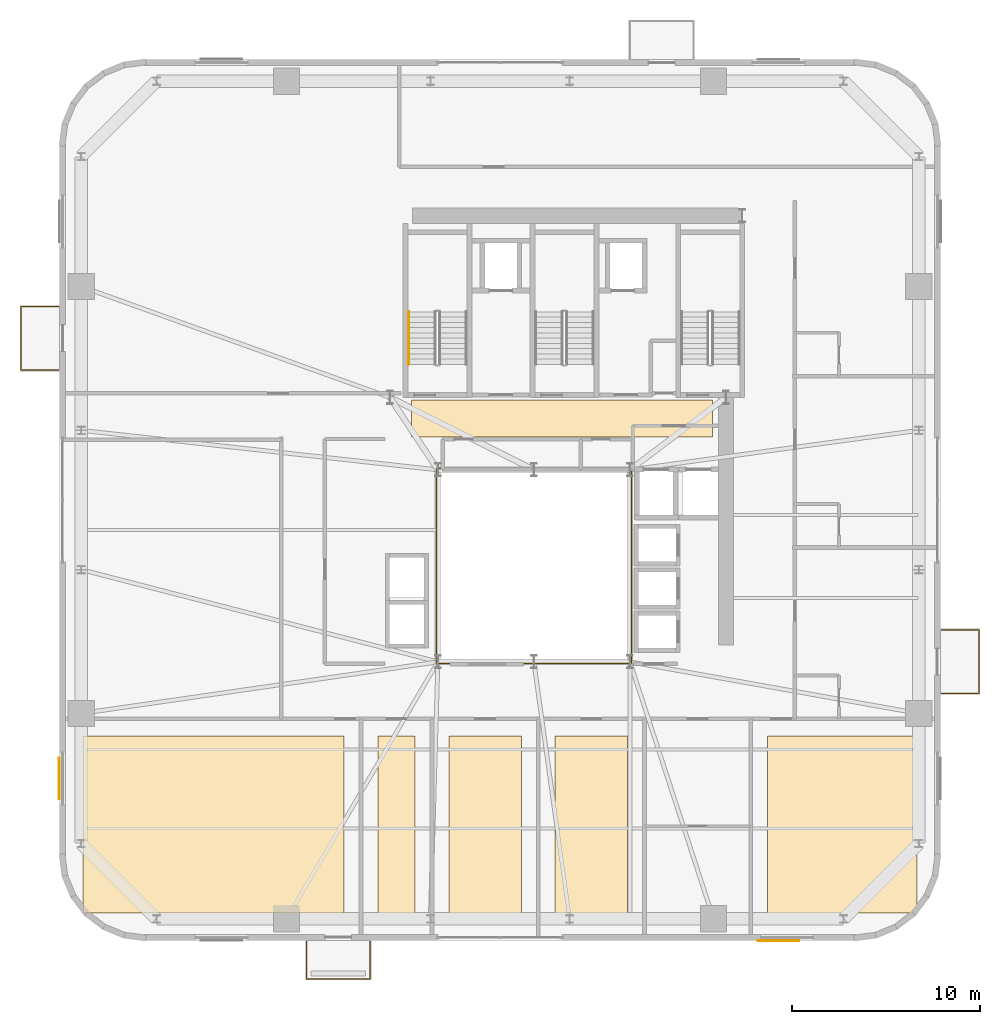
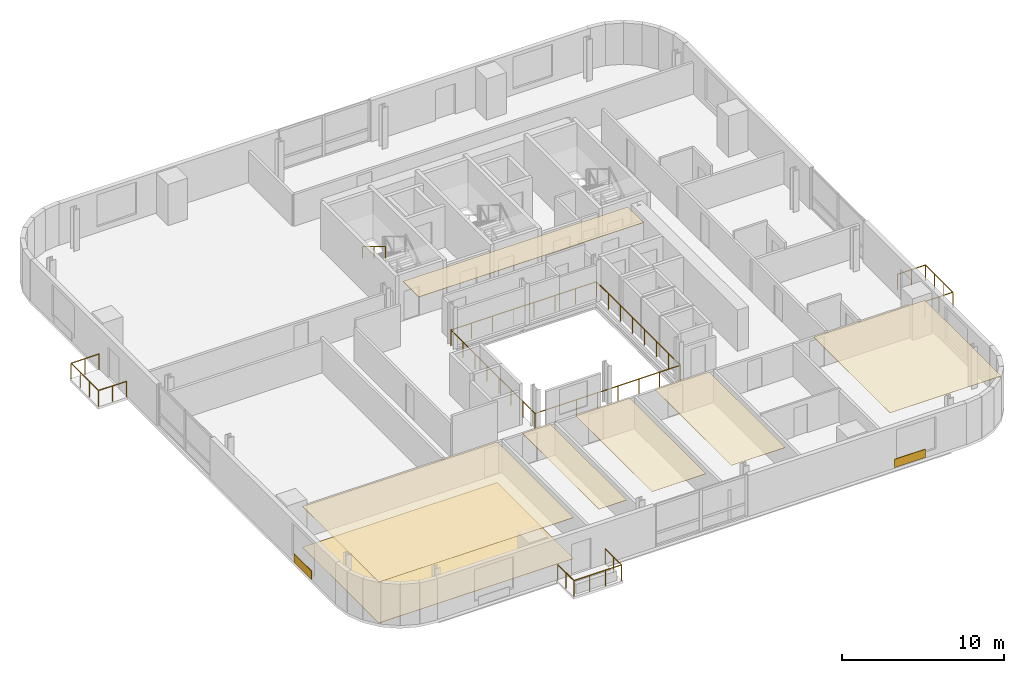
# One storey, part 11 of 13: 9 coverings, 5 railings.
"""IFC4 building model written with IfcOpenShell, lengths in metres."""

from ifc_helpers import new_model, si_unit, direction, frame, origin, origin_2d, place, context, subcontext, project, spatial, polyline, rectangle, outline, extrude, source, transform, mapped, material, layer, layer_set, type_object, element, save


model = new_model("IFC4")

# Units and contexts
model_context = context("Model", 3, precision=1e-05, world=origin(), true_north=direction((0.0, 1.0)))
body_context = subcontext(model_context, "Body", "Model", "MODEL_VIEW")
ifc_project = project(units=[si_unit("LENGTHUNIT", "METRE"), si_unit("AREAUNIT", "SQUARE_METRE"), si_unit("VOLUMEUNIT", "CUBIC_METRE"), si_unit("PLANEANGLEUNIT", "RADIAN"), si_unit("MASSUNIT", "GRAM", prefix="KILO")], contexts=[model_context])

# Site, building, storey
site_placement = place(None, origin())
site = spatial("IfcSite", under=ifc_project, at=site_placement, CompositionType="ELEMENT")
building_placement = place(site_placement, origin())
building = spatial("IfcBuilding", under=site, at=building_placement, Name="Vardaveli Station Tower", CompositionType="ELEMENT")
storey_placement = place(building_placement, frame((0.0, 0.0, 233.550048828125)))
storey = spatial("IfcBuildingStorey", under=building, at=storey_placement, Name="L60", CompositionType="ELEMENT", Elevation=233.550048828125)

# Coverings
ifc_material_1 = material(Name="Perforated acoustic mineral ceiling")
ifc_layer_1 = layer(ifc_material_1, 0.02001953125, Name="Perforated acoustic mineral ceiling")
ifc_layer_set_1 = layer_set([ifc_layer_1], Name="Perforated acoustic mineral ceiling")
covering_type_1 = type_object("IfcCoveringType", Name="COV-CEIL-AC20", PredefinedType="CEILING", material=ifc_layer_set_1)
covering_1_placement = place(storey_placement, frame((0.0, 0.0, 3.0849609375)))
element("IfcCovering", 1, at=covering_1_placement, inside=storey, type_object=covering_type_1, Name="CEIL-L60-1", PredefinedType="CEILING", context=body_context, shape_type="SweptSolid", body=[
    extrude(outline(polyline([(12.35009765625, 3.25), (26.21044921875, 3.25), (26.21044921875, 12.669921875), (12.35009765625, 12.669921875), (12.35009765625, 3.25)])), origin(), (0.0, 0.0, 1.0), 0.02001953125),
])
covering_2_placement = place(storey_placement, frame((0.0, 0.0, 3.0849609375)))
element("IfcCovering", 2, at=covering_2_placement, inside=storey, type_object=covering_type_1, Name="CEIL-L60-2", PredefinedType="CEILING", context=body_context, shape_type="SweptSolid", body=[
    extrude(outline(polyline([(28.010498046875, 3.25), (29.992431640625, 3.25), (29.992431640625, 12.669921875), (28.010498046875, 12.669921875), (28.010498046875, 3.25)])), origin(), (0.0, 0.0, 1.0), 0.02001953125),
])
covering_3_placement = place(storey_placement, frame((0.0, 0.0, 3.0849609375)))
element("IfcCovering", 3, at=covering_3_placement, inside=storey, type_object=covering_type_1, Name="CEIL-L60-3", PredefinedType="CEILING", context=body_context, shape_type="SweptSolid", body=[
    extrude(outline(polyline([(31.79248046875, 3.25), (35.635009765625, 3.25), (35.635009765625, 12.669921875), (31.79248046875, 12.669921875), (31.79248046875, 3.25)])), origin(), (0.0, 0.0, 1.0), 0.02001953125),
])
covering_4_placement = place(storey_placement, frame((0.0, 0.0, 3.0849609375)))
element("IfcCovering", 4, at=covering_4_placement, inside=storey, type_object=covering_type_1, Name="CEIL-L60-4", PredefinedType="CEILING", context=body_context, shape_type="SweptSolid", body=[
    extrude(outline(polyline([(37.43505859375, 3.25), (41.277587890625, 3.25), (41.277587890625, 12.669921875), (37.43505859375, 12.669921875), (37.43505859375, 3.25)])), origin(), (0.0, 0.0, 1.0), 0.02001953125),
])
covering_5_placement = place(storey_placement, frame((0.0, 0.0, 3.0849609375)))
element("IfcCovering", 5, at=covering_5_placement, inside=storey, type_object=covering_type_1, Name="CEIL-L60-5", PredefinedType="CEILING", context=body_context, shape_type="SweptSolid", body=[
    extrude(outline(polyline([(48.719970703125, 3.25), (56.64990234375, 3.25), (56.64990234375, 12.669921875), (48.719970703125, 12.669921875), (48.719970703125, 3.25)])), origin(), (0.0, 0.0, 1.0), 0.02001953125),
])
covering_6_placement = place(storey_placement, frame((0.0, 0.0, 3.0849609375)))
element("IfcCovering", 6, at=covering_6_placement, inside=storey, type_object=covering_type_1, Name="CEIL-L60-6", PredefinedType="CEILING", context=body_context, shape_type="SweptSolid", body=[
    extrude(outline(polyline([(29.800048828125, 28.550048828125), (45.800048828125, 28.550048828125), (45.800048828125, 30.5), (29.800048828125, 30.5), (29.800048828125, 28.550048828125)])), origin(), (0.0, 0.0, 1.0), 0.02001953125),
])
ifc_material_2 = material(Name="Honed Caucasian basalt and travertine flooring", Category="masonry")
ifc_layer_2 = layer(ifc_material_2, 0.030029296875, Name="Honed Caucasian basalt and travertine flooring")
ifc_layer_set_2 = layer_set([ifc_layer_2], Name="Honed Caucasian basalt and travertine flooring")
covering_type_2 = type_object("IfcCoveringType", Name="COV-FLOOR-ST30", PredefinedType="FLOORING", material=ifc_layer_set_2)
covering_7_placement = place(storey_placement, origin())
element("IfcCovering", 7, at=covering_7_placement, inside=storey, type_object=covering_type_2, Name="FLR-L60-1", PredefinedType="FLOORING", context=body_context, shape_type="SweptSolid", body=[
    extrude(outline(polyline([(12.35009765625, 3.25), (26.21044921875, 3.25), (26.21044921875, 12.669921875), (12.35009765625, 12.669921875), (12.35009765625, 3.25)])), origin(), (0.0, 0.0, 1.0), 0.030029296875),
])
ifc_material_3 = material(Name="Ventilated honed travertine stone cladding", Category="masonry")
ifc_layer_3 = layer(ifc_material_3, 0.044921875, Name="Ventilated honed travertine stone cladding")
ifc_layer_set_3 = layer_set([ifc_layer_3], Name="Ventilated honed travertine stone cladding")
covering_type_3 = type_object("IfcCoveringType", Name="COV-CLAD-TR45", PredefinedType="CLADDING", material=ifc_layer_set_3)
shared_shape_1 = source(origin(), body_context, "Body", "SweptSolid", [
    extrude(rectangle(XDim=2.199951171875, YDim=0.044921875, at=origin_2d()), origin(), (0.0, 0.0, 1.0), 0.6201171875),
])
for number, where, z_axis, x_axis, name in (
    (8, (49.294921875, 1.785400390625, 0.06982421875), (0.0, 0.0, 1.0), (1.0, 0.0, 0.0), "CLD-TR-L60-S"),
    (9, (11.08544921875, 10.405029296875, 0.06982421875), (0.0, 0.0, 1.0), (0.0, 1.0, 0.0), "CLD-TR-L60-W"),
):
    element("IfcCovering", number, at=place(storey_placement, frame(where, z_axis=z_axis, x_axis=x_axis)), inside=storey, type_object=covering_type_3, Name=name, PredefinedType="CLADDING", context=body_context, shape_type="MappedRepresentation", body=[
        mapped(shared_shape_1, transform((0.0, 0.0, 0.0), scale=1.0)),
    ])

# Railings
ifc_material_4 = material(Name="Laminated glass and stainless steel balustrade", Category="steel")
railing_type_1 = type_object("IfcRailingType", Name="RL-BAL-1200", PredefinedType="BALUSTRADE", material=ifc_material_4)
shared_shape_2 = source(origin(), body_context, "Body", "SweptSolid", [
    extrude(rectangle(XDim=0.048095703125, YDim=0.048095703125, at=origin_2d()), frame((0.0, 0.0, 1.17578125), z_axis=(0.0, -1.0, 0.0), x_axis=(1.0, 0.0, 0.0)), (0.0, 0.0, 1.0), 2.0),
    extrude(rectangle(XDim=0.048095703125, YDim=0.048095703125, at=origin_2d()), frame((0.0, -2.0, 1.17578125), z_axis=(1.0, 0.0, 0.0), x_axis=(0.0, 1.0, 0.0)), (0.0, 0.0, 1.0), 3.3798828125),
    extrude(rectangle(XDim=0.048095703125, YDim=0.048095703125, at=origin_2d()), frame((3.3798828125, -2.0, 1.17578125), z_axis=(0.0, 1.0, 0.0), x_axis=(-1.0, 0.0, 0.0)), (0.0, 0.0, 1.0), 2.0),
    extrude(rectangle(XDim=0.0419921875, YDim=0.0419921875, at=origin_2d()), origin(), (0.0, 0.0, 1.0), 1.15185546875),
    extrude(rectangle(XDim=0.0419921875, YDim=0.0419921875, at=origin_2d()), frame((0.0, -1.0, 0.0)), (0.0, 0.0, 1.0), 1.15185546875),
    extrude(rectangle(XDim=0.0419921875, YDim=0.0419921875, at=origin_2d()), frame((0.0, -2.0, 0.0)), (0.0, 0.0, 1.0), 1.15185546875),
    extrude(rectangle(XDim=0.0419921875, YDim=0.0419921875, at=origin_2d()), frame((1.126708984375, -2.0, 0.0)), (0.0, 0.0, 1.0), 1.15185546875),
    extrude(rectangle(XDim=0.0419921875, YDim=0.0419921875, at=origin_2d()), frame((2.253173828125, -2.0, 0.0)), (0.0, 0.0, 1.0), 1.15185546875),
    extrude(rectangle(XDim=0.0419921875, YDim=0.0419921875, at=origin_2d()), frame((3.3798828125, -2.0, 0.0)), (0.0, 0.0, 1.0), 1.15185546875),
    extrude(rectangle(XDim=0.0419921875, YDim=0.0419921875, at=origin_2d()), frame((3.3798828125, -1.0, 0.0)), (0.0, 0.0, 1.0), 1.15185546875),
    extrude(rectangle(XDim=0.0419921875, YDim=0.0419921875, at=origin_2d()), frame((3.3798828125, 0.0, 0.0)), (0.0, 0.0, 1.0), 1.15185546875),
])
railing_1_placement = place(storey_placement, frame((24.220458984375, 1.760009765625, 0.0)))
element("IfcRailing", 10, at=railing_1_placement, inside=storey, type_object=railing_type_1, Name="RL-LOG-L60-01", PredefinedType="BALUSTRADE", context=body_context, shape_type="MappedRepresentation", body=[
    mapped(shared_shape_2, transform((0.0, 0.0, 0.0), scale=1.0)),
])
shared_shape_3 = source(origin(), body_context, "Body", "SweptSolid", [
    extrude(rectangle(XDim=0.048095703125, YDim=0.048095703125, at=origin_2d()), frame((0.0, 0.0, 1.17578125), z_axis=(1.0, 0.0, 0.0), x_axis=(0.0, 1.0, 0.0)), (0.0, 0.0, 1.0), 2.0),
    extrude(rectangle(XDim=0.048095703125, YDim=0.048095703125, at=origin_2d()), frame((2.0, 0.0, 1.17578125), z_axis=(0.0, 1.0, 0.0), x_axis=(-1.0, 0.0, 0.0)), (0.0, 0.0, 1.0), 3.3798828125),
    extrude(rectangle(XDim=0.048095703125, YDim=0.048095703125, at=origin_2d()), frame((2.0, 3.3798828125, 1.17578125), z_axis=(-1.0, 0.0, 0.0), x_axis=(0.0, -1.0, 0.0)), (0.0, 0.0, 1.0), 2.0),
    extrude(rectangle(XDim=0.0419921875, YDim=0.0419921875, at=origin_2d()), origin(), (0.0, 0.0, 1.0), 1.15185546875),
    extrude(rectangle(XDim=0.0419921875, YDim=0.0419921875, at=origin_2d()), frame((1.0, 0.0, 0.0)), (0.0, 0.0, 1.0), 1.15185546875),
    extrude(rectangle(XDim=0.0419921875, YDim=0.0419921875, at=origin_2d()), frame((2.0, 0.0, 0.0)), (0.0, 0.0, 1.0), 1.15185546875),
    extrude(rectangle(XDim=0.0419921875, YDim=0.0419921875, at=origin_2d()), frame((2.0, 1.126708984375, 0.0)), (0.0, 0.0, 1.0), 1.15185546875),
    extrude(rectangle(XDim=0.0419921875, YDim=0.0419921875, at=origin_2d()), frame((2.0, 2.253173828125, 0.0)), (0.0, 0.0, 1.0), 1.15185546875),
    extrude(rectangle(XDim=0.0419921875, YDim=0.0419921875, at=origin_2d()), frame((2.0, 3.3798828125, 0.0)), (0.0, 0.0, 1.0), 1.15185546875),
    extrude(rectangle(XDim=0.0419921875, YDim=0.0419921875, at=origin_2d()), frame((1.0, 3.3798828125, 0.0)), (0.0, 0.0, 1.0), 1.15185546875),
    extrude(rectangle(XDim=0.0419921875, YDim=0.0419921875, at=origin_2d()), frame((0.0, 3.3798828125, 0.0)), (0.0, 0.0, 1.0), 1.15185546875),
])
railing_2_placement = place(storey_placement, frame((57.93994140625, 14.92041015625, 0.0)))
element("IfcRailing", 11, at=railing_2_placement, inside=storey, type_object=railing_type_1, Name="RL-LOG-L60-04", PredefinedType="BALUSTRADE", context=body_context, shape_type="MappedRepresentation", body=[
    mapped(shared_shape_3, transform((0.0, 0.0, 0.0), scale=1.0)),
])
shared_shape_4 = source(origin(), body_context, "Body", "SweptSolid", [
    extrude(rectangle(XDim=0.048095703125, YDim=0.048095703125, at=origin_2d()), frame((0.0, 0.0, 1.17578125), z_axis=(-1.0, 0.0, 0.0), x_axis=(0.0, -1.0, 0.0)), (0.0, 0.0, 1.0), 2.0),
    extrude(rectangle(XDim=0.048095703125, YDim=0.048095703125, at=origin_2d()), frame((-2.0, 0.0, 1.17578125), z_axis=(0.0, 1.0, 0.0), x_axis=(-1.0, 0.0, 0.0)), (0.0, 0.0, 1.0), 3.3798828125),
    extrude(rectangle(XDim=0.048095703125, YDim=0.048095703125, at=origin_2d()), frame((-2.0, 3.3798828125, 1.17578125), z_axis=(1.0, 0.0, 0.0), x_axis=(0.0, 1.0, 0.0)), (0.0, 0.0, 1.0), 2.0),
    extrude(rectangle(XDim=0.0419921875, YDim=0.0419921875, at=origin_2d()), origin(), (0.0, 0.0, 1.0), 1.15185546875),
    extrude(rectangle(XDim=0.0419921875, YDim=0.0419921875, at=origin_2d()), frame((-1.0, 0.0, 0.0)), (0.0, 0.0, 1.0), 1.15185546875),
    extrude(rectangle(XDim=0.0419921875, YDim=0.0419921875, at=origin_2d()), frame((-2.0, 0.0, 0.0)), (0.0, 0.0, 1.0), 1.15185546875),
    extrude(rectangle(XDim=0.0419921875, YDim=0.0419921875, at=origin_2d()), frame((-2.0, 1.126708984375, 0.0)), (0.0, 0.0, 1.0), 1.15185546875),
    extrude(rectangle(XDim=0.0419921875, YDim=0.0419921875, at=origin_2d()), frame((-2.0, 2.253173828125, 0.0)), (0.0, 0.0, 1.0), 1.15185546875),
    extrude(rectangle(XDim=0.0419921875, YDim=0.0419921875, at=origin_2d()), frame((-2.0, 3.3798828125, 0.0)), (0.0, 0.0, 1.0), 1.15185546875),
    extrude(rectangle(XDim=0.0419921875, YDim=0.0419921875, at=origin_2d()), frame((-1.0, 3.3798828125, 0.0)), (0.0, 0.0, 1.0), 1.15185546875),
    extrude(rectangle(XDim=0.0419921875, YDim=0.0419921875, at=origin_2d()), frame((0.0, 3.3798828125, 0.0)), (0.0, 0.0, 1.0), 1.15185546875),
])
railing_3_placement = place(storey_placement, frame((11.06005859375, 32.099609375, 0.0)))
element("IfcRailing", 12, at=railing_3_placement, inside=storey, type_object=railing_type_1, Name="RL-LOG-L60-03", PredefinedType="BALUSTRADE", context=body_context, shape_type="MappedRepresentation", body=[
    mapped(shared_shape_4, transform((0.0, 0.0, 0.0), scale=1.0)),
])
ifc_material_5 = material(Name="Brushed AISI 316 stainless steel", Category="steel")
railing_type_2 = type_object("IfcRailingType", Name="RL-HAND-900", PredefinedType="HANDRAIL", material=ifc_material_5)
shared_shape_5 = source(origin(), body_context, "Body", "SweptSolid", [
    extrude(rectangle(XDim=0.048095703125, YDim=0.048095703125, at=origin_2d()), frame((0.0, 0.0, 0.8759765625), z_axis=(0.0, -0.854169791009, 0.51999420009), x_axis=(1.0, 0.0, 0.0)), (0.0, 0.0, 1.0), 3.278076171875),
    extrude(rectangle(XDim=0.0419921875, YDim=0.0419921875, at=origin_2d()), origin(), (0.0, 0.0, 1.0), 0.851806640625),
    extrude(rectangle(XDim=0.0419921875, YDim=0.0419921875, at=origin_2d()), frame((0.0, -1.39990234375, 0.852294921875)), (0.0, 0.0, 1.0), 0.851806640625),
    extrude(rectangle(XDim=0.0419921875, YDim=0.0419921875, at=origin_2d()), frame((0.0, -2.800048828125, 1.70458984375)), (0.0, 0.0, 1.0), 0.851806640625),
])
railing_4_placement = place(storey_placement, frame((29.64990234375, 35.199951171875, 2.04541015625)))
element("IfcRailing", 13, at=railing_4_placement, inside=storey, type_object=railing_type_2, Name="L60 ST-1 stair handrail 2", PredefinedType="HANDRAIL", context=body_context, shape_type="MappedRepresentation", body=[
    mapped(shared_shape_5, transform((0.0, 0.0, 0.0), scale=1.0)),
])
shared_shape_6 = source(origin(), body_context, "Body", "SweptSolid", [
    extrude(rectangle(XDim=0.048095703125, YDim=0.048095703125, at=origin_2d()), frame((0.0, 0.0, 1.17578125), z_axis=(1.0, 0.0, 0.0), x_axis=(0.0, 1.0, 0.0)), (0.0, 0.0, 1.0), 10.35986328125),
    extrude(rectangle(XDim=0.048095703125, YDim=0.048095703125, at=origin_2d()), frame((10.35986328125, 0.0, 1.17578125), z_axis=(0.0, 1.0, 0.0), x_axis=(-1.0, 0.0, 0.0)), (0.0, 0.0, 1.0), 10.35986328125),
    extrude(rectangle(XDim=0.048095703125, YDim=0.048095703125, at=origin_2d()), frame((10.35986328125, 10.35986328125, 1.17578125), z_axis=(-1.0, 0.0, 0.0), x_axis=(0.0, -1.0, 0.0)), (0.0, 0.0, 1.0), 10.35986328125),
    extrude(rectangle(XDim=0.048095703125, YDim=0.048095703125, at=origin_2d()), frame((0.0, 10.35986328125, 1.17578125), z_axis=(0.0, -1.0, 0.0), x_axis=(1.0, 0.0, 0.0)), (0.0, 0.0, 1.0), 10.35986328125),
    extrude(rectangle(XDim=0.0419921875, YDim=0.0419921875, at=origin_2d()), origin(), (0.0, 0.0, 1.0), 1.15185546875),
    extrude(rectangle(XDim=0.0419921875, YDim=0.0419921875, at=origin_2d()), frame((1.47998046875, 0.0, 0.0)), (0.0, 0.0, 1.0), 1.15185546875),
    extrude(rectangle(XDim=0.0419921875, YDim=0.0419921875, at=origin_2d()), frame((2.9599609375, 0.0, 0.0)), (0.0, 0.0, 1.0), 1.15185546875),
    extrude(rectangle(XDim=0.0419921875, YDim=0.0419921875, at=origin_2d()), frame((4.43994140625, 0.0, 0.0)), (0.0, 0.0, 1.0), 1.15185546875),
    extrude(rectangle(XDim=0.0419921875, YDim=0.0419921875, at=origin_2d()), frame((5.919921875, 0.0, 0.0)), (0.0, 0.0, 1.0), 1.15185546875),
    extrude(rectangle(XDim=0.0419921875, YDim=0.0419921875, at=origin_2d()), frame((7.39990234375, 0.0, 0.0)), (0.0, 0.0, 1.0), 1.15185546875),
    extrude(rectangle(XDim=0.0419921875, YDim=0.0419921875, at=origin_2d()), frame((8.8798828125, 0.0, 0.0)), (0.0, 0.0, 1.0), 1.15185546875),
    extrude(rectangle(XDim=0.0419921875, YDim=0.0419921875, at=origin_2d()), frame((10.35986328125, 0.0, 0.0)), (0.0, 0.0, 1.0), 1.15185546875),
    extrude(rectangle(XDim=0.0419921875, YDim=0.0419921875, at=origin_2d()), frame((10.35986328125, 1.47998046875, 0.0)), (0.0, 0.0, 1.0), 1.15185546875),
    extrude(rectangle(XDim=0.0419921875, YDim=0.0419921875, at=origin_2d()), frame((10.35986328125, 2.9599609375, 0.0)), (0.0, 0.0, 1.0), 1.15185546875),
    extrude(rectangle(XDim=0.0419921875, YDim=0.0419921875, at=origin_2d()), frame((10.35986328125, 4.43994140625, 0.0)), (0.0, 0.0, 1.0), 1.15185546875),
    extrude(rectangle(XDim=0.0419921875, YDim=0.0419921875, at=origin_2d()), frame((10.35986328125, 5.919921875, 0.0)), (0.0, 0.0, 1.0), 1.15185546875),
    extrude(rectangle(XDim=0.0419921875, YDim=0.0419921875, at=origin_2d()), frame((10.35986328125, 7.39990234375, 0.0)), (0.0, 0.0, 1.0), 1.15185546875),
    extrude(rectangle(XDim=0.0419921875, YDim=0.0419921875, at=origin_2d()), frame((10.35986328125, 8.8798828125, 0.0)), (0.0, 0.0, 1.0), 1.15185546875),
    extrude(rectangle(XDim=0.0419921875, YDim=0.0419921875, at=origin_2d()), frame((10.35986328125, 10.35986328125, 0.0)), (0.0, 0.0, 1.0), 1.15185546875),
    extrude(rectangle(XDim=0.0419921875, YDim=0.0419921875, at=origin_2d()), frame((8.8798828125, 10.35986328125, 0.0)), (0.0, 0.0, 1.0), 1.15185546875),
    extrude(rectangle(XDim=0.0419921875, YDim=0.0419921875, at=origin_2d()), frame((7.39990234375, 10.35986328125, 0.0)), (0.0, 0.0, 1.0), 1.15185546875),
    extrude(rectangle(XDim=0.0419921875, YDim=0.0419921875, at=origin_2d()), frame((5.919921875, 10.35986328125, 0.0)), (0.0, 0.0, 1.0), 1.15185546875),
    extrude(rectangle(XDim=0.0419921875, YDim=0.0419921875, at=origin_2d()), frame((4.43994140625, 10.35986328125, 0.0)), (0.0, 0.0, 1.0), 1.15185546875),
    extrude(rectangle(XDim=0.0419921875, YDim=0.0419921875, at=origin_2d()), frame((2.9599609375, 10.35986328125, 0.0)), (0.0, 0.0, 1.0), 1.15185546875),
    extrude(rectangle(XDim=0.0419921875, YDim=0.0419921875, at=origin_2d()), frame((1.47998046875, 10.35986328125, 0.0)), (0.0, 0.0, 1.0), 1.15185546875),
    extrude(rectangle(XDim=0.0419921875, YDim=0.0419921875, at=origin_2d()), frame((0.0, 10.35986328125, 0.0)), (0.0, 0.0, 1.0), 1.15185546875),
    extrude(rectangle(XDim=0.0419921875, YDim=0.0419921875, at=origin_2d()), frame((0.0, 8.8798828125, 0.0)), (0.0, 0.0, 1.0), 1.15185546875),
    extrude(rectangle(XDim=0.0419921875, YDim=0.0419921875, at=origin_2d()), frame((0.0, 7.39990234375, 0.0)), (0.0, 0.0, 1.0), 1.15185546875),
    extrude(rectangle(XDim=0.0419921875, YDim=0.0419921875, at=origin_2d()), frame((0.0, 5.919921875, 0.0)), (0.0, 0.0, 1.0), 1.15185546875),
    extrude(rectangle(XDim=0.0419921875, YDim=0.0419921875, at=origin_2d()), frame((0.0, 4.43994140625, 0.0)), (0.0, 0.0, 1.0), 1.15185546875),
    extrude(rectangle(XDim=0.0419921875, YDim=0.0419921875, at=origin_2d()), frame((0.0, 2.9599609375, 0.0)), (0.0, 0.0, 1.0), 1.15185546875),
    extrude(rectangle(XDim=0.0419921875, YDim=0.0419921875, at=origin_2d()), frame((0.0, 1.47998046875, 0.0)), (0.0, 0.0, 1.0), 1.15185546875),
])
railing_5_placement = place(storey_placement, frame((31.1201171875, 16.52001953125, 0.0)))
element("IfcRailing", 14, at=railing_5_placement, inside=storey, type_object=railing_type_1, Name="RL-ATR-L60", PredefinedType="BALUSTRADE", context=body_context, shape_type="MappedRepresentation", body=[
    mapped(shared_shape_6, transform((0.0, 0.0, 0.0), scale=1.0)),
])

save(model, "model.ifc")
